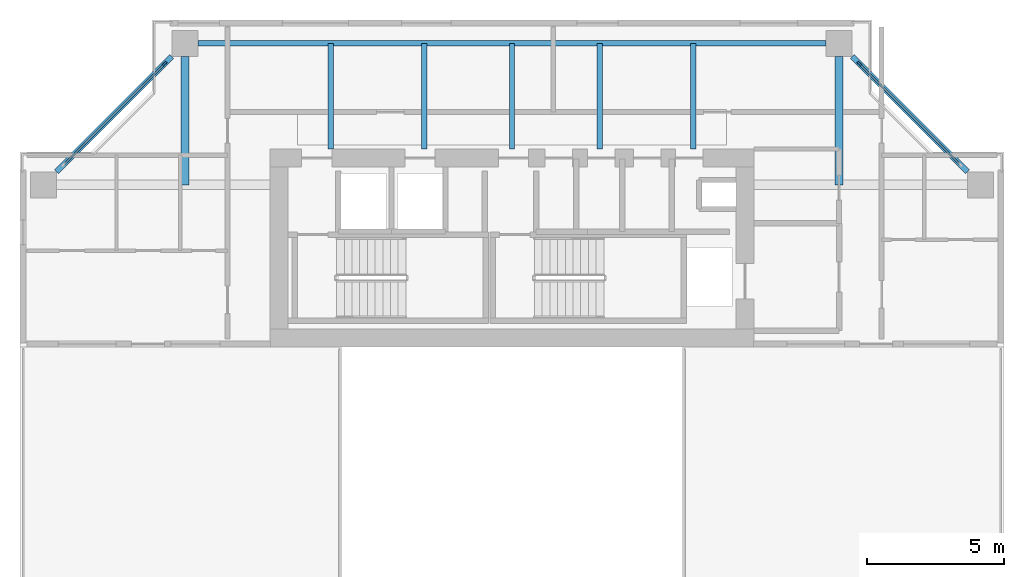
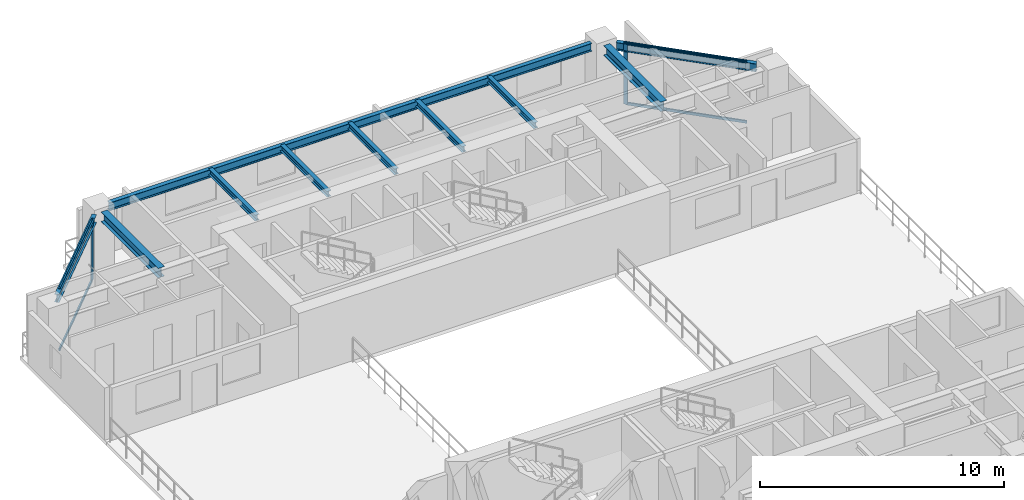
# One storey, part 5 of 14: 10 beams, 6 members, 2 elements without a shape of their own.
"""IFC4 building model written with IfcOpenShell, lengths in metres."""

from ifc_helpers import new_model, si_unit, direction, frame, origin, origin_2d, place, context, subcontext, project, spatial, rectangle, i_section, extrude, source, transform, mapped, material, layer, layer_set, material_profile, profile_set, type_object, element, aggregate, save


model = new_model("IFC4")

# Units and contexts
model_context = context("Model", 3, precision=1e-05, world=origin(), true_north=direction((0.0, 1.0)))
body_context = subcontext(model_context, "Body", "Model", "MODEL_VIEW")
ifc_project = project(units=[si_unit("LENGTHUNIT", "METRE"), si_unit("AREAUNIT", "SQUARE_METRE"), si_unit("VOLUMEUNIT", "CUBIC_METRE"), si_unit("PLANEANGLEUNIT", "RADIAN"), si_unit("MASSUNIT", "GRAM", prefix="KILO"), si_unit("THERMODYNAMICTEMPERATUREUNIT", "KELVIN"), si_unit("POWERUNIT", "WATT")], contexts=[model_context])

# Site, building, storey
site_placement = place(None, origin())
site = spatial("IfcSite", under=ifc_project, at=site_placement, CompositionType="ELEMENT")
building_placement = place(site_placement, origin())
building = spatial("IfcBuilding", under=site, at=building_placement, Name="Qiaomeng Ring Towers", CompositionType="ELEMENT")
storey_placement = place(building_placement, frame((0.0, 0.0, 153.5)))
storey = spatial("IfcBuildingStorey", under=building, at=storey_placement, Name="L44", CompositionType="ELEMENT", Elevation=153.5)

# Beams
ifc_material_1 = material(Name="Steel Q355B", Category="steel")
ifc_material_profile_1 = material_profile(ifc_material_1, i_section(OverallWidth=0.199951171875, OverallDepth=0.2939453125, WebThickness=0.008056640625, FlangeThickness=0.011962890625, FilletRadius=0.01806640625, at=origin_2d()), Name="HM 294x200x8x12")
ifc_profile_set_1 = profile_set([ifc_material_profile_1], Name="Steel Q355B")
beam_type_1 = type_object("IfcBeamType", Name="STR-BM-HM294", PredefinedType="JOIST", material=ifc_profile_set_1)
shared_shape_1 = source(origin(), body_context, "Body", "SweptSolid", [
    extrude(i_section(OverallWidth=0.199951171875, OverallDepth=0.2939453125, WebThickness=0.008056640625, FlangeThickness=0.011962890625, FilletRadius=0.01806640625, at=origin_2d()), origin(), (0.0, 0.0, 1.0), 3.85009765625),
])
for number, where, z_axis, x_axis, name in (
    (1, (12.39990234375, 36.199951171875, 2.923095703125), (0.0, 1.0, 0.0), (-1.0, 0.0, 0.0), "L44 beam STR-JST-L44-T1N-1"),
    (2, (15.800048828125, 36.199951171875, 2.923095703125), (0.0, 1.0, 0.0), (-1.0, 0.0, 0.0), "L44 beam STR-JST-L44-T1N-2"),
    (3, (19.0, 36.199951171875, 2.923095703125), (0.0, 1.0, 0.0), (-1.0, 0.0, 0.0), "L44 beam STR-JST-L44-T1N-3"),
    (4, (22.199951171875, 36.199951171875, 2.923095703125), (0.0, 1.0, 0.0), (-1.0, 0.0, 0.0), "L44 beam STR-JST-L44-T1N-4"),
    (5, (25.60009765625, 36.199951171875, 2.923095703125), (0.0, 1.0, 0.0), (-1.0, 0.0, 0.0), "L44 beam STR-JST-L44-T1N-5"),
):
    element("IfcBeam", number, at=place(storey_placement, frame(where, z_axis=z_axis, x_axis=x_axis)), inside=storey, type_object=beam_type_1, Name=name, PredefinedType="JOIST", context=body_context, shape_type="MappedRepresentation", body=[
        mapped(shared_shape_1, transform((0.0, 0.0, 0.0), x_axis=(1.0, 0.0, 0.0), y_axis=(0.0, 1.0, 0.0), z_axis=(0.0, 0.0, 1.0), scale=1.0)),
    ])
ifc_material_profile_2 = material_profile(ifc_material_1, i_section(OverallWidth=0.199951171875, OverallDepth=0.39990234375, WebThickness=0.008056640625, FlangeThickness=0.012939453125, FilletRadius=0.01611328125, at=origin_2d()), Name="HN 400x200x8x13")
ifc_profile_set_2 = profile_set([ifc_material_profile_2], Name="Steel Q355B")
beam_type_2 = type_object("IfcBeamType", Name="STR-BM-HN400", PredefinedType="SPANDREL", material=ifc_profile_set_2)
shared_shape_2 = source(origin(), body_context, "Body", "SweptSolid", [
    extrude(i_section(OverallWidth=0.199951171875, OverallDepth=0.39990234375, WebThickness=0.008056640625, FlangeThickness=0.012939453125, FilletRadius=0.01611328125, at=origin_2d()), origin(), (0.0, 0.0, 1.0), 22.85205078125),
])
beam_placement = place(storey_placement, frame((30.426025390625, 40.050048828125, 2.8701171875), z_axis=(-1.0, 0.0, 0.0), x_axis=(0.0, -1.0, 0.0)))
element("IfcBeam", 6, at=beam_placement, inside=storey, type_object=beam_type_2, Name="L44 beam STR-SP-L44-T1-N2-N1", PredefinedType="SPANDREL", context=body_context, shape_type="MappedRepresentation", body=[
    mapped(shared_shape_2, transform((0.0, 0.0, 0.0), x_axis=(1.0, 0.0, 0.0), y_axis=(0.0, 1.0, 0.0), z_axis=(0.0, 0.0, 1.0), scale=1.0)),
])
shared_shape_3 = source(origin(), body_context, "Body", "SweptSolid", [
    extrude(i_section(OverallWidth=0.199951171875, OverallDepth=0.39990234375, WebThickness=0.008056640625, FlangeThickness=0.012939453125, FilletRadius=0.01611328125, at=origin_2d()), origin(), (0.0, 0.0, 1.0), 5.941650390625),
])
for number, where, z_axis, x_axis, name in (
    (7, (35.57568359375, 35.374267578125, 2.8701171875), (-0.707106781187, 0.707106781187, 0.0), (-0.707106781187, -0.707106781187, 0.0), "L44 beam STR-SP-L44-T1-E4-N2"),
    (8, (6.625732421875, 39.57568359375, 2.8701171875), (-0.707106781187, -0.707106781187, 0.0), (0.707106781187, -0.707106781187, 0.0), "L44 beam STR-SP-L44-T1-N1-W4"),
):
    element("IfcBeam", number, at=place(storey_placement, frame(where, z_axis=z_axis, x_axis=x_axis)), inside=storey, type_object=beam_type_2, Name=name, PredefinedType="SPANDREL", context=body_context, shape_type="MappedRepresentation", body=[
        mapped(shared_shape_3, transform((0.0, 0.0, 0.0), x_axis=(1.0, 0.0, 0.0), y_axis=(0.0, 1.0, 0.0), z_axis=(0.0, 0.0, 1.0), scale=1.0)),
    ])
ifc_material_profile_3 = material_profile(ifc_material_1, i_section(OverallWidth=0.300048828125, OverallDepth=0.488037109375, WebThickness=0.010986328125, FlangeThickness=0.01806640625, FilletRadius=0.02587890625, at=origin_2d()), Name="HM 488x300x11x18")
ifc_profile_set_3 = profile_set([ifc_material_profile_3], Name="Steel Q355B")
beam_type_3 = type_object("IfcBeamType", Name="STR-BM-HM488", PredefinedType="BEAM", material=ifc_profile_set_3)
shared_shape_4 = source(origin(), body_context, "Body", "SweptSolid", [
    extrude(i_section(OverallWidth=0.300048828125, OverallDepth=0.488037109375, WebThickness=0.010986328125, FlangeThickness=0.01806640625, FilletRadius=0.02587890625, at=origin_2d()), origin(), (0.0, 0.0, 1.0), 4.676025390625),
])
for number, where, z_axis, x_axis, name in (
    (9, (7.10009765625, 39.575927734375, 2.825927734375), (0.0, -1.0, 0.0), (1.0, 0.0, 0.0), "L44 beam STR-BM-L44-T1-RAD-N1"),
    (10, (30.89990234375, 39.575927734375, 2.825927734375), (0.0, -1.0, 0.0), (1.0, 0.0, 0.0), "L44 beam STR-BM-L44-T1-RAD-N2"),
):
    element("IfcBeam", number, at=place(storey_placement, frame(where, z_axis=z_axis, x_axis=x_axis)), inside=storey, type_object=beam_type_3, Name=name, PredefinedType="BEAM", context=body_context, shape_type="MappedRepresentation", body=[
        mapped(shared_shape_4, transform((0.0, 0.0, 0.0), x_axis=(1.0, 0.0, 0.0), y_axis=(0.0, 1.0, 0.0), z_axis=(0.0, 0.0, 1.0), scale=1.0)),
    ])

# Curtain wall, member
ifc_material_2 = material(Name="Fluorocarbon dark-grey aluminium", Category="aluminium")
ifc_layer = layer(ifc_material_2, 0.14990234375, Name="Fluorocarbon dark-grey aluminium")
ifc_layer_set = layer_set([ifc_layer], Name="Fluorocarbon dark-grey aluminium")
curtain_wall_type = type_object("IfcCurtainWallType", Name="ARC-CW-3", PredefinedType="NOTDEFINED", material=ifc_layer_set)
curtain_wall_1_placement = place(storey_placement, origin())
curtain_wall_1 = element("IfcCurtainWall", 11, at=curtain_wall_1_placement, inside=storey, type_object=curtain_wall_type, Name="L44 Curtain Wall CW3", PredefinedType="NOTDEFINED")
ifc_material_profile_4 = material_profile(ifc_material_2, rectangle(XDim=0.070068359375, YDim=0.179931640625, at=origin_2d()), Name="ALU MULL 70x180")
ifc_profile_set_4 = profile_set([ifc_material_profile_4], Name="Fluorocarbon dark-grey aluminium")
member_type_1 = type_object("IfcMemberType", Name="ARC-CWM-160", PredefinedType="MULLION", material=ifc_profile_set_4)
shared_shape_5 = source(origin(), body_context, "Body", "SweptSolid", [
    extrude(rectangle(XDim=0.070068359375, YDim=0.179931640625, at=origin_2d()), origin(), (0.0, 0.0, 1.0), 3.070068359375),
])
member_1_placement = place(storey_placement, frame((31.6396484375, 39.310302734375, 0.0), z_axis=(0.0, 0.0, 1.0), x_axis=(-0.707106781187, -0.707106781187, 0.0)))
member_1 = element("IfcMember", 12, at=member_1_placement, type_object=member_type_1, Name="CW3 mullion 2", PredefinedType="MULLION", context=body_context, shape_type="MappedRepresentation", body=[
    mapped(shared_shape_5, transform((0.0, 0.0, 0.0), x_axis=(1.0, 0.0, 0.0), y_axis=(0.0, 1.0, 0.0), z_axis=(0.0, 0.0, 1.0), scale=1.0)),
])

curtain_wall_2_placement = place(storey_placement, origin())
curtain_wall_2 = element("IfcCurtainWall", 13, at=curtain_wall_2_placement, inside=storey, type_object=curtain_wall_type, Name="L44 Curtain Wall CW3", PredefinedType="NOTDEFINED")
member_2_placement = place(storey_placement, frame((6.3603515625, 39.310302734375, 0.0), z_axis=(0.0, 0.0, 1.0), x_axis=(0.707106781187, -0.707106781187, 0.0)))
member_2 = element("IfcMember", 14, at=member_2_placement, type_object=member_type_1, Name="CW3 mullion 1", PredefinedType="MULLION", context=body_context, shape_type="MappedRepresentation", body=[
    mapped(shared_shape_5, transform((0.0, 0.0, 0.0), x_axis=(1.0, 0.0, 0.0), y_axis=(0.0, 1.0, 0.0), z_axis=(0.0, 0.0, 1.0), scale=1.0)),
])

# Member
ifc_material_profile_5 = material_profile(ifc_material_2, rectangle(XDim=0.06494140625, YDim=0.1298828125, at=origin_2d()), Name="ALU TRAN 65x130")
ifc_profile_set_5 = profile_set([ifc_material_profile_5], Name="Fluorocarbon dark-grey aluminium")
member_type_2 = type_object("IfcMemberType", Name="ARC-CWT-120", PredefinedType="USERDEFINED", material=ifc_profile_set_5)
shared_shape_6 = source(origin(), body_context, "Body", "SweptSolid", [
    extrude(rectangle(XDim=0.06494140625, YDim=0.1298828125, at=origin_2d()), origin(), (0.0, 0.0, 1.0), 5.12060546875),
])
member_3_placement = place(storey_placement, frame((35.285400390625, 35.66455078125, 0.032470703125), z_axis=(-0.707106781187, 0.707106781187, 0.0), x_axis=(-0.707106781187, -0.707106781187, 0.0)))
member_3 = element("IfcMember", 15, at=member_3_placement, type_object=member_type_2, Name="CW3 transom 1.1", ObjectType="TRANSOM", PredefinedType="USERDEFINED", context=body_context, shape_type="MappedRepresentation", body=[
    mapped(shared_shape_6, transform((0.0, 0.0, 0.0), x_axis=(1.0, 0.0, 0.0), y_axis=(0.0, 1.0, 0.0), z_axis=(0.0, 0.0, 1.0), scale=1.0)),
])

member_4_placement = place(storey_placement, frame((35.285400390625, 35.66455078125, 3.03759765625), z_axis=(-0.707106781187, 0.707106781187, 0.0), x_axis=(-0.707106781187, -0.707106781187, 0.0)))
member_4 = element("IfcMember", 16, at=member_4_placement, type_object=member_type_2, Name="CW3 transom 1.2", ObjectType="TRANSOM", PredefinedType="USERDEFINED", context=body_context, shape_type="MappedRepresentation", body=[
    mapped(shared_shape_6, transform((0.0, 0.0, 0.0), x_axis=(1.0, 0.0, 0.0), y_axis=(0.0, 1.0, 0.0), z_axis=(0.0, 0.0, 1.0), scale=1.0)),
])

aggregate(curtain_wall_1, [member_1, member_3, member_4])

member_5_placement = place(storey_placement, frame((6.33544921875, 39.285400390625, 0.032470703125), z_axis=(-0.707106781187, -0.707106781187, 0.0), x_axis=(0.707106781187, -0.707106781187, 0.0)))
member_5 = element("IfcMember", 17, at=member_5_placement, type_object=member_type_2, Name="CW3 transom 1.1", ObjectType="TRANSOM", PredefinedType="USERDEFINED", context=body_context, shape_type="MappedRepresentation", body=[
    mapped(shared_shape_6, transform((0.0, 0.0, 0.0), x_axis=(1.0, 0.0, 0.0), y_axis=(0.0, 1.0, 0.0), z_axis=(0.0, 0.0, 1.0), scale=1.0)),
])

member_6_placement = place(storey_placement, frame((6.33544921875, 39.285400390625, 3.03759765625), z_axis=(-0.707106781187, -0.707106781187, 0.0), x_axis=(0.707106781187, -0.707106781187, 0.0)))
member_6 = element("IfcMember", 18, at=member_6_placement, type_object=member_type_2, Name="CW3 transom 1.2", ObjectType="TRANSOM", PredefinedType="USERDEFINED", context=body_context, shape_type="MappedRepresentation", body=[
    mapped(shared_shape_6, transform((0.0, 0.0, 0.0), x_axis=(1.0, 0.0, 0.0), y_axis=(0.0, 1.0, 0.0), z_axis=(0.0, 0.0, 1.0), scale=1.0)),
])

aggregate(curtain_wall_2, [member_2, member_5, member_6])

save(model, "model.ifc")
